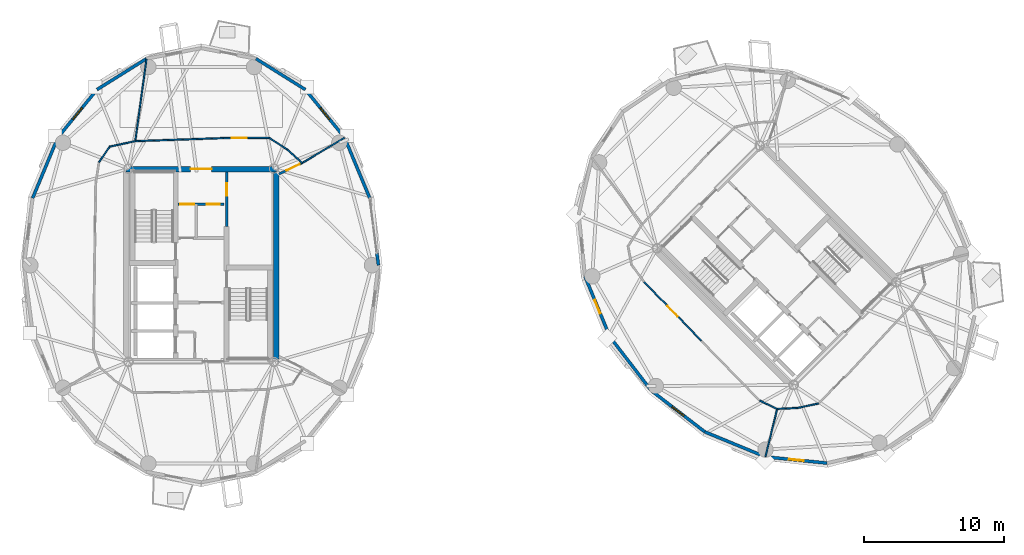
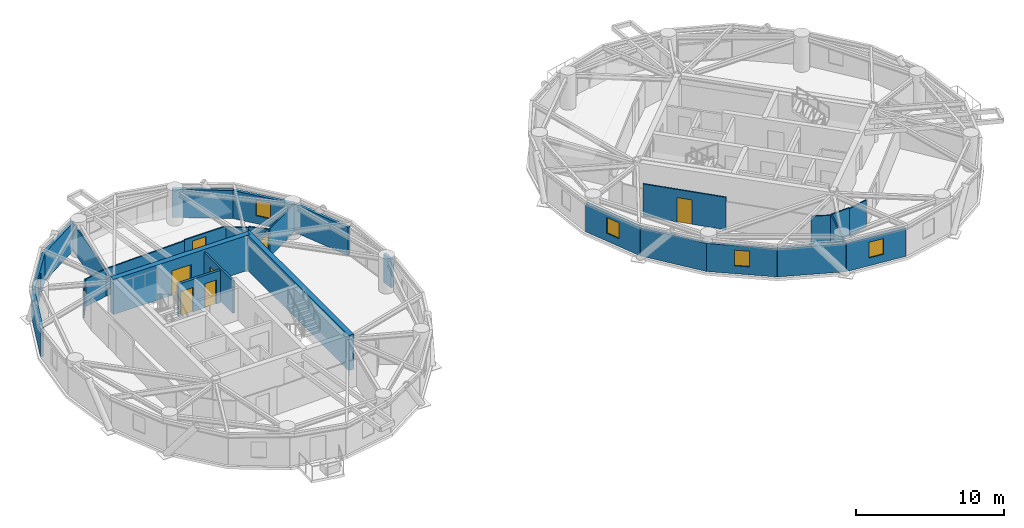
# One storey, part 10 of 16: 30 walls, 7 doors, 5 windows, 12 openings.
"""IFC4 building model written with IfcOpenShell, lengths in metres."""

from ifc_helpers import new_model, si_unit, direction, frame, frame_2d, origin, place, context, subcontext, project, spatial, rectangle, extrude, source, transform, mapped, material, layer, layer_set, type_object, element, fill, save


model = new_model("IFC4")

# Units and contexts
model_context = context("Model", 3, precision=1e-05, world=origin(), true_north=direction((0.0, 1.0)))
body_context = subcontext(model_context, "Body", "Model", "MODEL_VIEW")
ifc_project = project(units=[si_unit("LENGTHUNIT", "METRE"), si_unit("AREAUNIT", "SQUARE_METRE"), si_unit("VOLUMEUNIT", "CUBIC_METRE"), si_unit("PLANEANGLEUNIT", "RADIAN"), si_unit("MASSUNIT", "GRAM", prefix="KILO")], contexts=[model_context])

# Site, building, storey
site_placement = place(None, origin())
site = spatial("IfcSite", under=ifc_project, at=site_placement, CompositionType="ELEMENT")
building_placement = place(site_placement, origin())
building = spatial("IfcBuilding", under=site, at=building_placement, Name="Cununo Teusaquillo Station Towers", CompositionType="ELEMENT")
storey_placement = place(building_placement, frame((0.0, 0.0, 196.659912109375)))
storey = spatial("IfcBuildingStorey", under=building, at=storey_placement, Name="L62", CompositionType="ELEMENT", Elevation=196.659912109375)

# Wall
ifc_material_1 = material(Name="Concrete C50/60", Category="concrete")
ifc_layer_1 = layer(ifc_material_1, 0.39990234375)
ifc_layer_set_1 = layer_set([ifc_layer_1], Name="Concrete C50/60")
wall_type_1 = type_object("IfcWallType", Name="WL-CORE-400", PredefinedType="SHEAR", material=ifc_layer_set_1)
wall_1_placement = place(storey_placement, frame((21.85009765625, 17.449951171875, 0.0), z_axis=(0.0, 0.0, 1.0), x_axis=(0.0, 1.0, 0.0)))
element("IfcWall", 1, at=wall_1_placement, inside=storey, type_object=wall_type_1, Name="L62 Tower A Core Shear Wall E", PredefinedType="SHEAR", context=body_context, shape_type="SweptSolid", body=[
    extrude(rectangle(XDim=14.10009765625, YDim=0.39990234375, at=frame_2d((7.050048828125, 0.0))), origin(), (0.0, 0.0, 1.0), 2.91015625),
])

# Wall, opening, door
wall_2_placement = place(storey_placement, frame((11.14990234375, 31.35009765625, 0.0), z_axis=(0.0, 0.0, 1.0), x_axis=(1.0, 0.0, 0.0)))
wall_2 = element("IfcWall", 2, at=wall_2_placement, inside=storey, type_object=wall_type_1, Name="L62 Tower A Core Shear Wall N", PredefinedType="SHEAR", context=body_context, shape_type="SweptSolid", body=[
    extrude(rectangle(XDim=10.7001953125, YDim=0.39990234375, at=frame_2d((5.35009765625, 0.0))), origin(), (0.0, 0.0, 1.0), 2.91015625),
])
shared_shape_1 = source(origin(), body_context, "Body", "SweptSolid", [
    extrude(rectangle(XDim=1.5, YDim=2.02001953125, at=frame_2d((0.75, 1.010009765625))), frame((0.0, 0.2099609375, 0.0), z_axis=(0.0, -1.0, 0.0), x_axis=(1.0, 0.0, 0.0)), (0.0, 0.0, 1.0), 0.419921875),
])
opening_1_placement = place(wall_2_placement, frame((4.60009765625, 0.0, 0.0)))
opening_1 = element("IfcOpeningElement", 3, at=opening_1_placement, cuts=wall_2, Name="Opening D-LB1", PredefinedType="OPENING", context=body_context, shape_type="MappedRepresentation", body=[
    mapped(shared_shape_1, transform((0.0, 0.0, 0.0), x_axis=(1.0, 0.0, 0.0), y_axis=(0.0, 1.0, 0.0), z_axis=(0.0, 0.0, 1.0), scale=1.0)),
])
ifc_material_2 = material(Name="Galvanised fire-rated hollow steel door assembly", Category="steel")
door_type_1 = type_object("IfcDoorType", Name="DR-LOBBY-1500", OperationType="DOUBLE_DOOR_SINGLE_SWING", PredefinedType="DOOR", material=ifc_material_2)
shared_shape_2 = source(origin(), body_context, "Body", "SweptSolid", [
    extrude(rectangle(XDim=1.5, YDim=2.02001953125, at=frame_2d((0.75, 1.010009765625))), frame((0.0, 0.02490234375, 0.0), z_axis=(0.0, -1.0, 0.0), x_axis=(1.0, 0.0, 0.0)), (0.0, 0.0, 1.0), 0.050048828125),
])
door_1_placement = place(opening_1_placement, origin())
door_1 = element("IfcDoor", 4, at=door_1_placement, inside=storey, type_object=door_type_1, Name="L62 Tower A North Core Lift Lobby Door", OperationType="DOUBLE_DOOR_SINGLE_SWING", OverallHeight=2.02001953125, OverallWidth=1.5, PredefinedType="DOOR", context=body_context, shape_type="MappedRepresentation", body=[
    mapped(shared_shape_2, transform((0.0, 0.0, 0.0), x_axis=(1.0, 0.0, 0.0), y_axis=(0.0, 1.0, 0.0), z_axis=(0.0, 0.0, 1.0), scale=1.0)),
])
fill(opening_1, door_1)

# Walls
ifc_material_3 = material(Name="Precast concrete C40/50", Category="concrete")
ifc_layer_2 = layer(ifc_material_3, 0.219970703125)
ifc_layer_set_2 = layer_set([ifc_layer_2], Name="Precast concrete C40/50")
wall_type_2 = type_object("IfcWallType", Name="WL-EXT-220", PredefinedType="SOLIDWALL", material=ifc_layer_set_2)
wall_3_placement = place(storey_placement, frame((29.018310546875, 25.36279296875, 0.0), z_axis=(0.0, 0.0, 1.0), x_axis=(0.128247365719, -0.991742211054, 0.0)))
element("IfcWall", 5, at=wall_3_placement, inside=storey, type_object=wall_type_2, Name="L62 Tower A Column Pier Cladding Wall C00-PB", PredefinedType="SOLIDWALL", context=body_context, shape_type="SweptSolid", body=[
    extrude(rectangle(XDim=0.869873046875, YDim=0.219970703125, at=frame_2d((0.43505859375, 0.0))), origin(), (0.0, 0.0, 1.0), 2.322021484375),
])
wall_4_placement = place(storey_placement, frame((26.718017578125, 33.593017578125, 0.0), z_axis=(0.0, 0.0, 1.0), x_axis=(0.384036305194, -0.923317993052, 0.0)))
element("IfcWall", 6, at=wall_4_placement, inside=storey, type_object=wall_type_2, Name="L62 Tower A Exterior Facade Wall C01", PredefinedType="SOLIDWALL", context=body_context, shape_type="SweptSolid", body=[
    extrude(rectangle(XDim=4.670654296875, YDim=0.219970703125, at=frame_2d((2.33544921875, 0.0))), origin(), (0.0, 0.0, 1.0), 2.322021484375),
])

# Wall, opening, window
wall_5_placement = place(storey_placement, frame((23.923583984375, 37.015380859375, 0.0), z_axis=(0.0, 0.0, 1.0), x_axis=(0.632467166636, -0.774587169483, 0.0)))
wall_5 = element("IfcWall", 7, at=wall_5_placement, inside=storey, type_object=wall_type_2, Name="L62 Tower A Exterior Facade Wall C02", PredefinedType="SOLIDWALL", context=body_context, shape_type="SweptSolid", body=[
    extrude(rectangle(XDim=4.418212890625, YDim=0.219970703125, at=frame_2d((2.208984375, 0.0))), origin(), (0.0, 0.0, 1.0), 2.322021484375),
])
shared_shape_3 = source(origin(), body_context, "Body", "SweptSolid", [
    extrude(rectangle(XDim=1.050048828125, YDim=1.300048828125, at=frame_2d((0.52490234375, 0.64990234375))), frame((0.0, 0.119873046875, 0.0), z_axis=(0.0, -1.0, 0.0), x_axis=(1.0, 0.0, 0.0)), (0.0, 0.0, 1.0), 0.239990234375),
])
opening_2_placement = place(wall_5_placement, frame((1.68408203125, 0.0, 0.64990234375)))
opening_2 = element("IfcOpeningElement", 8, at=opening_2_placement, cuts=wall_5, Name="Opening WN-04", PredefinedType="OPENING", context=body_context, shape_type="MappedRepresentation", body=[
    mapped(shared_shape_3, transform((0.0, 0.0, 0.0), x_axis=(1.0, 0.0, 0.0), y_axis=(0.0, 1.0, 0.0), z_axis=(0.0, 0.0, 1.0), scale=1.0)),
])
ifc_material_4 = material(Name="Operable acoustic tinted low-E double glazing", Category="glass")
window_type = type_object("IfcWindowType", Name="WIN-BAL-1050", PartitioningType="SINGLE_PANEL", PredefinedType="WINDOW", material=ifc_material_4)
shared_shape_4 = source(origin(), body_context, "Body", "SweptSolid", [
    extrude(rectangle(XDim=1.050048828125, YDim=1.300048828125, at=frame_2d((0.52490234375, 0.64990234375))), frame((0.0, 0.030029296875, 0.0), z_axis=(0.0, -1.0, 0.0), x_axis=(1.0, 0.0, 0.0)), (0.0, 0.0, 1.0), 0.06005859375),
])
window_1_placement = place(opening_2_placement, origin())
window_1 = element("IfcWindow", 9, at=window_1_placement, inside=storey, type_object=window_type, Name="L62 Tower A Facade Window C02", OverallHeight=1.300048828125, OverallWidth=1.050048828125, PartitioningType="SINGLE_PANEL", PredefinedType="WINDOW", context=body_context, shape_type="MappedRepresentation", body=[
    mapped(shared_shape_4, transform((0.0, 0.0, 0.0), x_axis=(1.0, 0.0, 0.0), y_axis=(0.0, 1.0, 0.0), z_axis=(0.0, 0.0, 1.0), scale=1.0)),
])
fill(opening_2, window_1)

# Walls
for number, where, z_axis, x_axis, name in (
    (10, (20.40283203125, 39.212890625, 0.0), (0.0, 0.0, 1.0), (0.848318713376, -0.529485939886, 0.0), "L62 Tower A Exterior Facade Wall C03"),
    (11, (9.076416015625, 37.015380859375, 0.0), (0.0, 0.0, 1.0), (0.848318713376, 0.529485939886, 0.0), "L62 Tower A Exterior Facade Wall C06"),
):
    element("IfcWall", number, at=place(storey_placement, frame(where, z_axis=z_axis, x_axis=x_axis)), inside=storey, type_object=wall_type_2, Name=name, PredefinedType="SOLIDWALL", context=body_context, shape_type="SweptSolid", body=[
        extrude(rectangle(XDim=4.150390625, YDim=0.219970703125, at=frame_2d((2.0751953125, 0.0))), origin(), (0.0, 0.0, 1.0), 2.322021484375),
    ])

# Wall, opening, window
wall_6_placement = place(storey_placement, frame((6.281982421875, 33.593017578125, 0.0), z_axis=(0.0, 0.0, 1.0), x_axis=(0.632467166636, 0.774587169483, 0.0)))
wall_6 = element("IfcWall", 12, at=wall_6_placement, inside=storey, type_object=wall_type_2, Name="L62 Tower A Exterior Facade Wall C07", PredefinedType="SOLIDWALL", context=body_context, shape_type="SweptSolid", body=[
    extrude(rectangle(XDim=4.418212890625, YDim=0.219970703125, at=frame_2d((2.208984375, 0.0))), origin(), (0.0, 0.0, 1.0), 2.322021484375),
])
opening_3_placement = place(wall_6_placement, frame((1.68408203125, 0.0, 0.64990234375)))
opening_3 = element("IfcOpeningElement", 13, at=opening_3_placement, cuts=wall_6, Name="Opening WN-04", PredefinedType="OPENING", context=body_context, shape_type="MappedRepresentation", body=[
    mapped(shared_shape_3, transform((0.0, 0.0, 0.0), x_axis=(1.0, 0.0, 0.0), y_axis=(0.0, 1.0, 0.0), z_axis=(0.0, 0.0, 1.0), scale=1.0)),
])
window_2_placement = place(opening_3_placement, origin())
window_2 = element("IfcWindow", 14, at=window_2_placement, inside=storey, type_object=window_type, Name="L62 Tower A Facade Window C07", OverallHeight=1.300048828125, OverallWidth=1.050048828125, PartitioningType="SINGLE_PANEL", PredefinedType="WINDOW", context=body_context, shape_type="MappedRepresentation", body=[
    mapped(shared_shape_4, transform((0.0, 0.0, 0.0), x_axis=(1.0, 0.0, 0.0), y_axis=(0.0, 1.0, 0.0), z_axis=(0.0, 0.0, 1.0), scale=1.0)),
])
fill(opening_3, window_2)

# Wall
wall_7_placement = place(storey_placement, frame((4.48828125, 29.280517578125, 0.0), z_axis=(0.0, 0.0, 1.0), x_axis=(0.384036305194, 0.923317993052, 0.0)))
element("IfcWall", 15, at=wall_7_placement, inside=storey, type_object=wall_type_2, Name="L62 Tower A Exterior Facade Wall C08", PredefinedType="SOLIDWALL", context=body_context, shape_type="SweptSolid", body=[
    extrude(rectangle(XDim=4.670654296875, YDim=0.219970703125, at=frame_2d((2.33544921875, 0.0))), origin(), (0.0, 0.0, 1.0), 2.322021484375),
])

# Wall, opening, window
wall_8_placement = place(storey_placement, frame((45.626220703125, 19.38671875, 0.0), z_axis=(0.0, 0.0, 1.0), x_axis=(-0.381309704956, 0.924447353237, 0.0)))
wall_8 = element("IfcWall", 16, at=wall_8_placement, inside=storey, type_object=wall_type_2, Name="L62 Tower B Exterior Facade Wall C08", PredefinedType="SOLIDWALL", context=body_context, shape_type="SweptSolid", body=[
    extrude(rectangle(XDim=4.670654296875, YDim=0.219970703125, at=frame_2d((2.33544921875, 0.0))), origin(), (0.0, 0.0, 1.0), 2.322021484375),
])
opening_4_placement = place(wall_8_placement, frame((1.81005859375, 0.0, 0.64990234375)))
opening_4 = element("IfcOpeningElement", 17, at=opening_4_placement, cuts=wall_8, Name="Opening WN-04", PredefinedType="OPENING", context=body_context, shape_type="MappedRepresentation", body=[
    mapped(shared_shape_3, transform((0.0, 0.0, 0.0), x_axis=(1.0, 0.0, 0.0), y_axis=(0.0, 1.0, 0.0), z_axis=(0.0, 0.0, 1.0), scale=1.0)),
])
window_3_placement = place(opening_4_placement, origin())
window_3 = element("IfcWindow", 18, at=window_3_placement, inside=storey, type_object=window_type, Name="L62 Tower B Facade Window C08", OverallHeight=1.300048828125, OverallWidth=1.050048828125, PartitioningType="SINGLE_PANEL", PredefinedType="WINDOW", context=body_context, shape_type="MappedRepresentation", body=[
    mapped(shared_shape_4, transform((0.0, 0.0, 0.0), x_axis=(1.0, 0.0, 0.0), y_axis=(0.0, 1.0, 0.0), z_axis=(0.0, 0.0, 1.0), scale=1.0)),
])
fill(opening_4, window_3)

# Wall
wall_9_placement = place(storey_placement, frame((48.569091796875, 15.569091796875, 0.0), z_axis=(0.0, 0.0, 1.0), x_axis=(-0.610523083886, 0.791998462147, 0.0)))
element("IfcWall", 19, at=wall_9_placement, inside=storey, type_object=wall_type_2, Name="L62 Tower B Exterior Facade Wall C09", PredefinedType="SOLIDWALL", context=body_context, shape_type="SweptSolid", body=[
    extrude(rectangle(XDim=4.8203125, YDim=0.219970703125, at=frame_2d((2.41015625, 0.0))), origin(), (0.0, 0.0, 1.0), 2.322021484375),
])

# Wall, opening, window
wall_10_placement = place(storey_placement, frame((52.38671875, 12.626220703125, 0.0), z_axis=(0.0, 0.0, 1.0), x_axis=(-0.791998462147, 0.610523083886, 0.0)))
wall_10 = element("IfcWall", 20, at=wall_10_placement, inside=storey, type_object=wall_type_2, Name="L62 Tower B Exterior Facade Wall C10", PredefinedType="SOLIDWALL", context=body_context, shape_type="SweptSolid", body=[
    extrude(rectangle(XDim=4.8203125, YDim=0.219970703125, at=frame_2d((2.41015625, 0.0))), origin(), (0.0, 0.0, 1.0), 2.322021484375),
])
opening_5_placement = place(wall_10_placement, frame((1.885009765625, 0.0, 0.64990234375)))
opening_5 = element("IfcOpeningElement", 21, at=opening_5_placement, cuts=wall_10, Name="Opening WN-04", PredefinedType="OPENING", context=body_context, shape_type="MappedRepresentation", body=[
    mapped(shared_shape_3, transform((0.0, 0.0, 0.0), x_axis=(1.0, 0.0, 0.0), y_axis=(0.0, 1.0, 0.0), z_axis=(0.0, 0.0, 1.0), scale=1.0)),
])
window_4_placement = place(opening_5_placement, origin())
window_4 = element("IfcWindow", 22, at=window_4_placement, inside=storey, type_object=window_type, Name="L62 Tower B Facade Window C10", OverallHeight=1.300048828125, OverallWidth=1.050048828125, PartitioningType="SINGLE_PANEL", PredefinedType="WINDOW", context=body_context, shape_type="MappedRepresentation", body=[
    mapped(shared_shape_4, transform((0.0, 0.0, 0.0), x_axis=(1.0, 0.0, 0.0), y_axis=(0.0, 1.0, 0.0), z_axis=(0.0, 0.0, 1.0), scale=1.0)),
])
fill(opening_5, window_4)

# Wall
wall_11_placement = place(storey_placement, frame((56.70458984375, 10.84521484375, 0.0), z_axis=(0.0, 0.0, 1.0), x_axis=(-0.924447353237, 0.381309704956, 0.0)))
element("IfcWall", 23, at=wall_11_placement, inside=storey, type_object=wall_type_2, Name="L62 Tower B Exterior Facade Wall C11", PredefinedType="SOLIDWALL", context=body_context, shape_type="SweptSolid", body=[
    extrude(rectangle(XDim=4.670654296875, YDim=0.219970703125, at=frame_2d((2.33544921875, 0.0))), origin(), (0.0, 0.0, 1.0), 2.322021484375),
])

# Wall, opening, window
wall_12_placement = place(storey_placement, frame((61.100341796875, 10.40087890625, 0.0), z_axis=(0.0, 0.0, 1.0), x_axis=(-0.994929930991, 0.100570534541, 0.0)))
wall_12 = element("IfcWall", 24, at=wall_12_placement, inside=storey, type_object=wall_type_2, Name="L62 Tower B Exterior Facade Wall C12", PredefinedType="SOLIDWALL", context=body_context, shape_type="SweptSolid", body=[
    extrude(rectangle(XDim=4.418212890625, YDim=0.219970703125, at=frame_2d((2.208984375, 0.0))), origin(), (0.0, 0.0, 1.0), 2.322021484375),
])
opening_6_placement = place(wall_12_placement, frame((1.68408203125, 0.0, 0.64990234375)))
opening_6 = element("IfcOpeningElement", 25, at=opening_6_placement, cuts=wall_12, Name="Opening WN-04", PredefinedType="OPENING", context=body_context, shape_type="MappedRepresentation", body=[
    mapped(shared_shape_3, transform((0.0, 0.0, 0.0), x_axis=(1.0, 0.0, 0.0), y_axis=(0.0, 1.0, 0.0), z_axis=(0.0, 0.0, 1.0), scale=1.0)),
])
window_5_placement = place(opening_6_placement, origin())
window_5 = element("IfcWindow", 26, at=window_5_placement, inside=storey, type_object=window_type, Name="L62 Tower B Facade Window C12", OverallHeight=1.300048828125, OverallWidth=1.050048828125, PartitioningType="SINGLE_PANEL", PredefinedType="WINDOW", context=body_context, shape_type="MappedRepresentation", body=[
    mapped(shared_shape_4, transform((0.0, 0.0, 0.0), x_axis=(1.0, 0.0, 0.0), y_axis=(0.0, 1.0, 0.0), z_axis=(0.0, 0.0, 1.0), scale=1.0)),
])
fill(opening_6, window_5)

# Walls
ifc_material_5 = material(Name="Fire-rated gypsum plasterboard partition assembly", Category="gypsum")
ifc_layer_3 = layer(ifc_material_5, 0.10009765625)
ifc_layer_set_3 = layer_set([ifc_layer_3], Name="Fire-rated gypsum plasterboard partition assembly")
wall_type_3 = type_object("IfcWallType", Name="WL-PART-100", PredefinedType="MOVABLE", material=ifc_layer_set_3)
wall_13_placement = place(storey_placement, frame((23.701416015625, 31.78564453125, 0.0), z_axis=(0.0, 0.0, 1.0), x_axis=(-0.743742806382, 0.668465883913, 0.0)))
element("IfcWall", 27, at=wall_13_placement, inside=storey, type_object=wall_type_3, Name="L62 Tower A Corridor Ring Wall C02", PredefinedType="MOVABLE", context=body_context, shape_type="SweptSolid", body=[
    extrude(rectangle(XDim=1.43359375, YDim=0.10009765625, at=frame_2d((0.716796875, 0.0))), origin(), (0.0, 0.0, 1.0), 2.322021484375),
])
wall_14_placement = place(storey_placement, frame((22.63525390625, 32.743896484375, 0.0), z_axis=(0.0, 0.0, 1.0), x_axis=(-0.840119270642, 0.542401706391, 0.0)))
element("IfcWall", 28, at=wall_14_placement, inside=storey, type_object=wall_type_3, Name="L62 Tower A Corridor Ring Wall C03", PredefinedType="MOVABLE", context=body_context, shape_type="SweptSolid", body=[
    extrude(rectangle(XDim=1.53759765625, YDim=0.10009765625, at=frame_2d((0.768798828125, 0.0))), origin(), (0.0, 0.0, 1.0), 2.255126953125),
])

# Wall, opening, door
wall_15_placement = place(storey_placement, frame((21.343505859375, 33.577880859375, 0.0), z_axis=(0.0, 0.0, 1.0), x_axis=(-0.999984243152, -0.005613684, 0.0)))
wall_15 = element("IfcWall", 29, at=wall_15_placement, inside=storey, type_object=wall_type_3, Name="L62 Tower A Corridor Ring Wall C04", PredefinedType="MOVABLE", context=body_context, shape_type="SweptSolid", body=[
    extrude(rectangle(XDim=3.26171875, YDim=0.10009765625, at=frame_2d((1.630859375, 0.0))), origin(), (0.0, 0.0, 1.0), 2.322021484375),
])
shared_shape_5 = source(origin(), body_context, "Body", "SweptSolid", [
    extrude(rectangle(XDim=1.050048828125, YDim=2.014892578125, at=frame_2d((0.52490234375, 1.00732421875))), frame((0.0, 0.06005859375, 0.0), z_axis=(0.0, -1.0, 0.0), x_axis=(1.0, 0.0, 0.0)), (0.0, 0.0, 1.0), 0.1201171875),
])
opening_7_placement = place(wall_15_placement, frame((1.598876953125, 0.0, 0.0)))
opening_7 = element("IfcOpeningElement", 30, at=opening_7_placement, cuts=wall_15, Name="Opening D-SU1", PredefinedType="OPENING", context=body_context, shape_type="MappedRepresentation", body=[
    mapped(shared_shape_5, transform((0.0, 0.0, 0.0), x_axis=(1.0, 0.0, 0.0), y_axis=(0.0, 1.0, 0.0), z_axis=(0.0, 0.0, 1.0), scale=1.0)),
])
ifc_material_6 = material(Name="Acoustic solid-core hardwood leaf assembly", Category="wood")
door_type_2 = type_object("IfcDoorType", Name="DR-SUITE-1050", OperationType="NOTDEFINED", PredefinedType="DOOR", material=ifc_material_6)
shared_shape_6 = source(origin(), body_context, "Body", "SweptSolid", [
    extrude(rectangle(XDim=1.050048828125, YDim=2.014892578125, at=frame_2d((0.52490234375, 1.00732421875))), frame((0.0, 0.02490234375, 0.0), z_axis=(0.0, -1.0, 0.0), x_axis=(1.0, 0.0, 0.0)), (0.0, 0.0, 1.0), 0.050048828125),
])
door_2_placement = place(opening_7_placement, origin())
door_2 = element("IfcDoor", 31, at=door_2_placement, inside=storey, type_object=door_type_2, Name="L62 Tower A Family Office Investment Landscape Hall Entrance Door", OperationType="SINGLE_SWING_LEFT", OverallHeight=2.014892578125, OverallWidth=1.050048828125, PredefinedType="DOOR", context=body_context, shape_type="MappedRepresentation", body=[
    mapped(shared_shape_6, transform((0.0, 0.0, 0.0), x_axis=(1.0, 0.0, 0.0), y_axis=(0.0, 1.0, 0.0), z_axis=(0.0, 0.0, 1.0), scale=1.0)),
])
fill(opening_7, door_2)

# Walls
wall_16_placement = place(storey_placement, frame((18.081787109375, 33.5595703125, 0.0), z_axis=(0.0, 0.0, 1.0), x_axis=(-0.999399009709, -0.034664382185, 0.0)))
element("IfcWall", 32, at=wall_16_placement, inside=storey, type_object=wall_type_3, Name="L62 Tower A Corridor Ring Wall C05", PredefinedType="MOVABLE", context=body_context, shape_type="SweptSolid", body=[
    extrude(rectangle(XDim=6.2822265625, YDim=0.10009765625, at=frame_2d((3.14111328125, 0.0))), origin(), (0.0, 0.0, 1.0), 2.255126953125),
])
wall_17_placement = place(storey_placement, frame((11.80322265625, 33.341796875, 0.0), z_axis=(0.0, 0.0, 1.0), x_axis=(-0.977750742783, -0.209770076483, 0.0)))
element("IfcWall", 33, at=wall_17_placement, inside=storey, type_object=wall_type_3, Name="L62 Tower A Corridor Ring Wall C06", PredefinedType="MOVABLE", context=body_context, shape_type="SweptSolid", body=[
    extrude(rectangle(XDim=1.867919921875, YDim=0.10009765625, at=frame_2d((0.93408203125, 0.0))), origin(), (0.0, 0.0, 1.0), 2.255126953125),
])
wall_18_placement = place(storey_placement, frame((9.976806640625, 32.949951171875, 0.0), z_axis=(0.0, 0.0, 1.0), x_axis=(-0.563291804539, -0.826258036535, 0.0)))
element("IfcWall", 34, at=wall_18_placement, inside=storey, type_object=wall_type_3, Name="L62 Tower A Corridor Ring Wall C07", PredefinedType="MOVABLE", context=body_context, shape_type="SweptSolid", body=[
    extrude(rectangle(XDim=1.34619140625, YDim=0.10009765625, at=frame_2d((0.673095703125, 0.0))), origin(), (0.0, 0.0, 1.0), 2.322021484375),
])
wall_19_placement = place(storey_placement, frame((23.701416015625, 31.78564453125, 0.0), z_axis=(0.0, 0.0, 1.0), x_axis=(0.858059206709, 0.513550774298, 0.0)))
element("IfcWall", 35, at=wall_19_placement, inside=storey, type_object=wall_type_3, Name="L62 Tower A Radial Suite Partition R01", PredefinedType="MOVABLE", context=body_context, shape_type="SweptSolid", body=[
    extrude(rectangle(XDim=3.49658203125, YDim=0.10009765625, at=frame_2d((1.748291015625, 0.0))), origin(), (0.0, 0.0, 1.0), 2.322021484375),
])
wall_20_placement = place(storey_placement, frame((11.80322265625, 33.341796875, 0.0), z_axis=(0.0, 0.0, 1.0), x_axis=(0.135452591041, 0.990783828885, 0.0)))
element("IfcWall", 36, at=wall_20_placement, inside=storey, type_object=wall_type_3, Name="L62 Tower A Radial Suite Partition R02", PredefinedType="MOVABLE", context=body_context, shape_type="SweptSolid", body=[
    extrude(rectangle(XDim=5.906494140625, YDim=0.10009765625, at=frame_2d((2.953125, 0.0))), origin(), (0.0, 0.0, 1.0), 2.322021484375),
])

# Wall, opening, door
wall_21_placement = place(storey_placement, frame((48.051513671875, 23.32275390625, 0.0), z_axis=(0.0, 0.0, 1.0), x_axis=(0.696573981306, -0.717484974454, 0.0)))
wall_21 = element("IfcWall", 37, at=wall_21_placement, inside=storey, type_object=wall_type_3, Name="L62 Tower B Corridor Ring Wall C09", PredefinedType="MOVABLE", context=body_context, shape_type="SweptSolid", body=[
    extrude(rectangle(XDim=5.849365234375, YDim=0.10009765625, at=frame_2d((2.9248046875, 0.0))), origin(), (0.0, 0.0, 1.0), 2.68505859375),
])
opening_8_placement = place(wall_21_placement, frame((2.399658203125, 0.0, 0.0)))
opening_8 = element("IfcOpeningElement", 38, at=opening_8_placement, cuts=wall_21, Name="Opening D-SU1", PredefinedType="OPENING", context=body_context, shape_type="MappedRepresentation", body=[
    mapped(shared_shape_5, transform((0.0, 0.0, 0.0), x_axis=(1.0, 0.0, 0.0), y_axis=(0.0, 1.0, 0.0), z_axis=(0.0, 0.0, 1.0), scale=1.0)),
])
door_3_placement = place(opening_8_placement, origin())
door_3 = element("IfcDoor", 39, at=door_3_placement, inside=storey, type_object=door_type_2, Name="L62 Tower B Sovereign Advisory Boardroom Entrance Door", OperationType="SINGLE_SWING_LEFT", OverallHeight=2.014892578125, OverallWidth=1.050048828125, PredefinedType="DOOR", context=body_context, shape_type="MappedRepresentation", body=[
    mapped(shared_shape_6, transform((0.0, 0.0, 0.0), x_axis=(1.0, 0.0, 0.0), y_axis=(0.0, 1.0, 0.0), z_axis=(0.0, 0.0, 1.0), scale=1.0)),
])
fill(opening_8, door_3)

# Walls
wall_22_placement = place(storey_placement, frame((56.29638671875, 14.859130859375, 0.0), z_axis=(0.0, 0.0, 1.0), x_axis=(0.90178292445, -0.432189260823, 0.0)))
element("IfcWall", 40, at=wall_22_placement, inside=storey, type_object=wall_type_3, Name="L62 Tower B Corridor Ring Wall C11", PredefinedType="MOVABLE", context=body_context, shape_type="SweptSolid", body=[
    extrude(rectangle(XDim=1.377197265625, YDim=0.10009765625, at=frame_2d((0.6884765625, 0.0))), origin(), (0.0, 0.0, 1.0), 2.255126953125),
])
wall_23_placement = place(storey_placement, frame((57.538330078125, 14.263916015625, 0.0), z_axis=(0.0, 0.0, 1.0), x_axis=(0.99892990172, 0.046249880546, 0.0)))
element("IfcWall", 41, at=wall_23_placement, inside=storey, type_object=wall_type_3, Name="L62 Tower B Corridor Ring Wall C12", PredefinedType="MOVABLE", context=body_context, shape_type="SweptSolid", body=[
    extrude(rectangle(XDim=1.4462890625, YDim=0.10009765625, at=frame_2d((0.72314453125, 0.0))), origin(), (0.0, 0.0, 1.0), 2.322021484375),
])
wall_24_placement = place(storey_placement, frame((58.983154296875, 14.330810546875, 0.0), z_axis=(0.0, 0.0, 1.0), x_axis=(0.978328007546, 0.207061125397, 0.0)))
element("IfcWall", 42, at=wall_24_placement, inside=storey, type_object=wall_type_3, Name="L62 Tower B Corridor Ring Wall C13", PredefinedType="MOVABLE", context=body_context, shape_type="SweptSolid", body=[
    extrude(rectangle(XDim=1.533935546875, YDim=0.10009765625, at=frame_2d((0.76708984375, 0.0))), origin(), (0.0, 0.0, 1.0), 2.255126953125),
])
wall_25_placement = place(storey_placement, frame((57.538330078125, 14.263916015625, 0.0), z_axis=(0.0, 0.0, 1.0), x_axis=(-0.237377006249, -0.971417601706, 0.0)))
element("IfcWall", 43, at=wall_25_placement, inside=storey, type_object=wall_type_3, Name="L62 Tower B Radial Suite Partition R03", PredefinedType="MOVABLE", context=body_context, shape_type="SweptSolid", body=[
    extrude(rectangle(XDim=3.4990234375, YDim=0.10009765625, at=frame_2d((1.74951171875, 0.0))), origin(), (0.0, 0.0, 1.0), 2.322021484375),
])

# Wall, opening, door
ifc_material_7 = material(Name="Fire-rated gypsum plasterboard partition assembly", Category="gypsum")
ifc_layer_4 = layer(ifc_material_7, 0.159912109375)
ifc_layer_set_4 = layer_set([ifc_layer_4], Name="Fire-rated gypsum plasterboard partition assembly")
wall_type_4 = type_object("IfcWallType", Name="WL-PART-160", PredefinedType="PARTITIONING", material=ifc_layer_set_4)
wall_26_placement = place(storey_placement, frame((18.31494140625, 27.25, 0.0), z_axis=(0.0, 0.0, 1.0), x_axis=(0.0, 1.0, 0.0)))
wall_26 = element("IfcWall", 44, at=wall_26_placement, inside=storey, type_object=wall_type_4, Name="L62 Tower A Reclaimed Core Bay Entry Wall", PredefinedType="PARTITIONING", context=body_context, shape_type="SweptSolid", body=[
    extrude(rectangle(XDim=3.89990234375, YDim=0.159912109375, at=frame_2d((1.949951171875, 0.0))), origin(), (0.0, 0.0, 1.0), 2.68505859375),
])
shared_shape_7 = source(origin(), body_context, "Body", "SweptSolid", [
    extrude(rectangle(XDim=0.89990234375, YDim=2.0048828125, at=frame_2d((0.449951171875, 1.00244140625))), frame((0.0, 0.08984375, 0.0), z_axis=(0.0, -1.0, 0.0), x_axis=(1.0, 0.0, 0.0)), (0.0, 0.0, 1.0), 0.179931640625),
])
opening_9_placement = place(wall_26_placement, frame((2.199951171875, 0.0, 0.0)))
opening_9 = element("IfcOpeningElement", 45, at=opening_9_placement, cuts=wall_26, Name="Opening D-IN1", PredefinedType="OPENING", context=body_context, shape_type="MappedRepresentation", body=[
    mapped(shared_shape_7, transform((0.0, 0.0, 0.0), x_axis=(1.0, 0.0, 0.0), y_axis=(0.0, 1.0, 0.0), z_axis=(0.0, 0.0, 1.0), scale=1.0)),
])
ifc_material_8 = material(Name="Acoustic solid-core hardwood leaf assembly", Category="wood")
door_type_3 = type_object("IfcDoorType", Name="DR-INT-900", OperationType="NOTDEFINED", PredefinedType="DOOR", material=ifc_material_8)
shared_shape_8 = source(origin(), body_context, "Body", "SweptSolid", [
    extrude(rectangle(XDim=0.89990234375, YDim=2.0048828125, at=frame_2d((0.449951171875, 1.00244140625))), frame((0.0, 0.02490234375, 0.0), z_axis=(0.0, -1.0, 0.0), x_axis=(1.0, 0.0, 0.0)), (0.0, 0.0, 1.0), 0.050048828125),
])
door_4_placement = place(opening_9_placement, origin())
door_4 = element("IfcDoor", 46, at=door_4_placement, inside=storey, type_object=door_type_3, Name="L62 Tower A Reclaimed Core Lounge Door", OperationType="SINGLE_SWING_RIGHT", OverallHeight=2.0048828125, OverallWidth=0.89990234375, PredefinedType="DOOR", context=body_context, shape_type="MappedRepresentation", body=[
    mapped(shared_shape_8, transform((0.0, 0.0, 0.0), x_axis=(1.0, 0.0, 0.0), y_axis=(0.0, 1.0, 0.0), z_axis=(0.0, 0.0, 1.0), scale=1.0)),
])
fill(opening_9, door_4)

wall_27_placement = place(storey_placement, frame((22.050048828125, 31.0, 0.0), z_axis=(0.0, 0.0, 1.0), x_axis=(0.903013459407, 0.429612257891, 0.0)))
wall_27 = element("IfcWall", 47, at=wall_27_placement, inside=storey, type_object=wall_type_4, Name="L62 Tower A East Salon Corridor Portal Wall NE", PredefinedType="PARTITIONING", context=body_context, shape_type="SweptSolid", body=[
    extrude(rectangle(XDim=1.82861328125, YDim=0.159912109375, at=frame_2d((0.914306640625, 0.0))), origin(), (0.0, 0.0, 1.0), 2.255126953125),
])
shared_shape_9 = source(origin(), body_context, "Body", "SweptSolid", [
    extrude(rectangle(XDim=1.050048828125, YDim=2.014892578125, at=frame_2d((0.52490234375, 1.00732421875))), frame((0.0, 0.08984375, 0.0), z_axis=(0.0, -1.0, 0.0), x_axis=(1.0, 0.0, 0.0)), (0.0, 0.0, 1.0), 0.179931640625),
])
opening_10_placement = place(wall_27_placement, frame((0.57861328125, 0.0, 0.0)))
opening_10 = element("IfcOpeningElement", 48, at=opening_10_placement, cuts=wall_27, Name="Opening D-SU1", PredefinedType="OPENING", context=body_context, shape_type="MappedRepresentation", body=[
    mapped(shared_shape_9, transform((0.0, 0.0, 0.0), x_axis=(1.0, 0.0, 0.0), y_axis=(0.0, 1.0, 0.0), z_axis=(0.0, 0.0, 1.0), scale=1.0)),
])
door_5_placement = place(opening_10_placement, origin())
door_5 = element("IfcDoor", 49, at=door_5_placement, inside=storey, type_object=door_type_2, Name="L62 Tower A East Panorama Sky Salon Door NE", OperationType="SINGLE_SWING_LEFT", OverallHeight=2.014892578125, OverallWidth=1.050048828125, PredefinedType="DOOR", context=body_context, shape_type="MappedRepresentation", body=[
    mapped(shared_shape_6, transform((0.0, 0.0, 0.0), x_axis=(1.0, 0.0, 0.0), y_axis=(0.0, 1.0, 0.0), z_axis=(0.0, 0.0, 1.0), scale=1.0)),
])
fill(opening_10, door_5)

# Wall, openings, doors
ifc_material_9 = material(Name="Fire-rated gypsum plasterboard partition assembly", Category="gypsum")
ifc_layer_5 = layer(ifc_material_9, 0.199951171875)
ifc_layer_set_5 = layer_set([ifc_layer_5], Name="Fire-rated gypsum plasterboard partition assembly")
wall_type_5 = type_object("IfcWallType", Name="WL-PART-200", PredefinedType="PARTITIONING", material=ifc_layer_set_5)
wall_28_placement = place(storey_placement, frame((14.860107421875, 28.85009765625, 0.0), z_axis=(0.0, 0.0, 1.0), x_axis=(1.0, 0.0, 0.0)))
wall_28 = element("IfcWall", 50, at=wall_28_placement, inside=storey, type_object=wall_type_5, Name="L62 Tower A North Lift Lobby South Fire Wall", PredefinedType="PARTITIONING", context=body_context, shape_type="SweptSolid", body=[
    extrude(rectangle(XDim=3.27978515625, YDim=0.199951171875, at=frame_2d((1.639892578125, 0.0))), origin(), (0.0, 0.0, 1.0), 2.68505859375),
])
shared_shape_10 = source(origin(), body_context, "Body", "SweptSolid", [
    extrude(rectangle(XDim=1.0, YDim=2.014892578125, at=frame_2d((0.5, 1.00732421875))), frame((0.0, 0.10986328125, 0.0), z_axis=(0.0, -1.0, 0.0), x_axis=(1.0, 0.0, 0.0)), (0.0, 0.0, 1.0), 0.219970703125),
])
opening_11_placement = place(wall_28_placement, frame((0.139892578125, 0.0, 0.0)))
opening_11 = element("IfcOpeningElement", 51, at=opening_11_placement, cuts=wall_28, Name="Opening D-AC1", PredefinedType="OPENING", context=body_context, shape_type="MappedRepresentation", body=[
    mapped(shared_shape_10, transform((0.0, 0.0, 0.0), x_axis=(1.0, 0.0, 0.0), y_axis=(0.0, 1.0, 0.0), z_axis=(0.0, 0.0, 1.0), scale=1.0)),
])
shared_shape_11 = source(origin(), body_context, "Body", "SweptSolid", [
    extrude(rectangle(XDim=0.89990234375, YDim=2.0048828125, at=frame_2d((0.449951171875, 1.00244140625))), frame((0.0, 0.10986328125, 0.0), z_axis=(0.0, -1.0, 0.0), x_axis=(1.0, 0.0, 0.0)), (0.0, 0.0, 1.0), 0.219970703125),
])
opening_12_placement = place(wall_28_placement, frame((2.050048828125, 0.0, 0.0)))
opening_12 = element("IfcOpeningElement", 52, at=opening_12_placement, cuts=wall_28, Name="Opening D-SR1", PredefinedType="OPENING", context=body_context, shape_type="MappedRepresentation", body=[
    mapped(shared_shape_11, transform((0.0, 0.0, 0.0), x_axis=(1.0, 0.0, 0.0), y_axis=(0.0, 1.0, 0.0), z_axis=(0.0, 0.0, 1.0), scale=1.0)),
])
ifc_material_10 = material(Name="Galvanised fire-rated hollow steel door assembly", Category="steel")
door_type_4 = type_object("IfcDoorType", Name="DR-STORE-900", OperationType="NOTDEFINED", PredefinedType="DOOR", material=ifc_material_10)
door_6_placement = place(opening_12_placement, origin())
door_6 = element("IfcDoor", 53, at=door_6_placement, inside=storey, type_object=door_type_4, Name="L62 Tower A Core Housekeeping & Linen Store Door", OperationType="SINGLE_SWING_LEFT", OverallHeight=2.0048828125, OverallWidth=0.89990234375, PredefinedType="DOOR", context=body_context, shape_type="MappedRepresentation", body=[
    mapped(shared_shape_8, transform((0.0, 0.0, 0.0), x_axis=(1.0, 0.0, 0.0), y_axis=(0.0, 1.0, 0.0), z_axis=(0.0, 0.0, 1.0), scale=1.0)),
])
fill(opening_12, door_6)
ifc_material_11 = material(Name="Acoustic solid-core hardwood leaf assembly", Category="wood")
door_type_5 = type_object("IfcDoorType", Name="DR-ACC-1000", OperationType="NOTDEFINED", PredefinedType="DOOR", material=ifc_material_11)
shared_shape_12 = source(origin(), body_context, "Body", "SweptSolid", [
    extrude(rectangle(XDim=1.0, YDim=2.014892578125, at=frame_2d((0.5, 1.00732421875))), frame((0.0, 0.02490234375, 0.0), z_axis=(0.0, -1.0, 0.0), x_axis=(1.0, 0.0, 0.0)), (0.0, 0.0, 1.0), 0.050048828125),
])
door_7_placement = place(opening_11_placement, origin())
door_7 = element("IfcDoor", 54, at=door_7_placement, inside=storey, type_object=door_type_5, Name="L62 Tower A North Lift Lobby to Stair 1 Vestibule Door", OperationType="SINGLE_SWING_LEFT", OverallHeight=2.014892578125, OverallWidth=1.0, PredefinedType="DOOR", context=body_context, shape_type="MappedRepresentation", body=[
    mapped(shared_shape_12, transform((0.0, 0.0, 0.0), x_axis=(1.0, 0.0, 0.0), y_axis=(0.0, 1.0, 0.0), z_axis=(0.0, 0.0, 1.0), scale=1.0)),
])
fill(opening_11, door_7)

save(model, "model.ifc")
